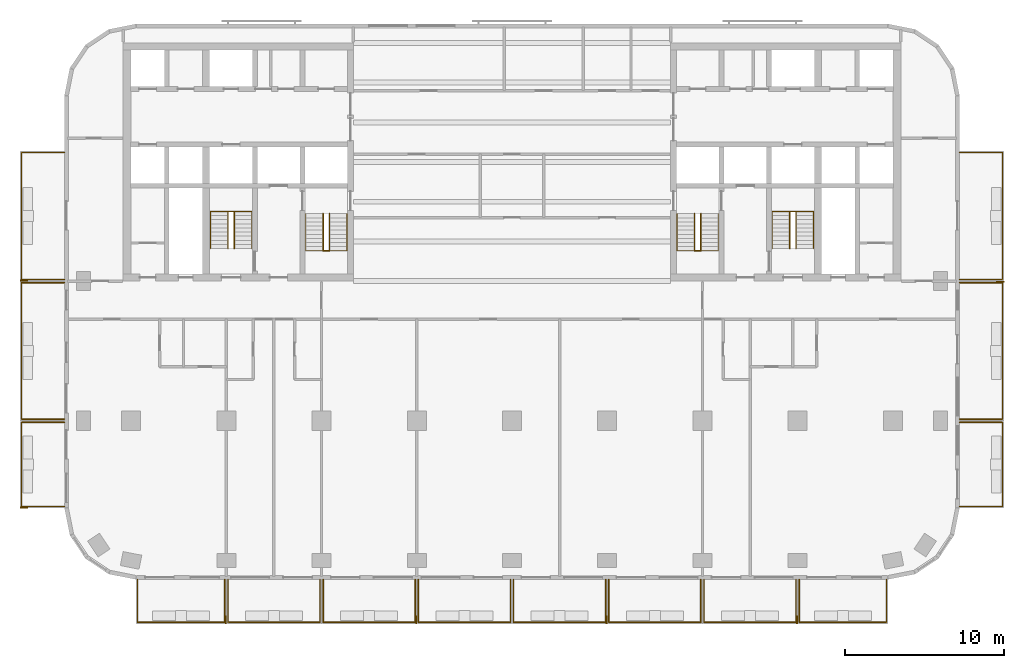
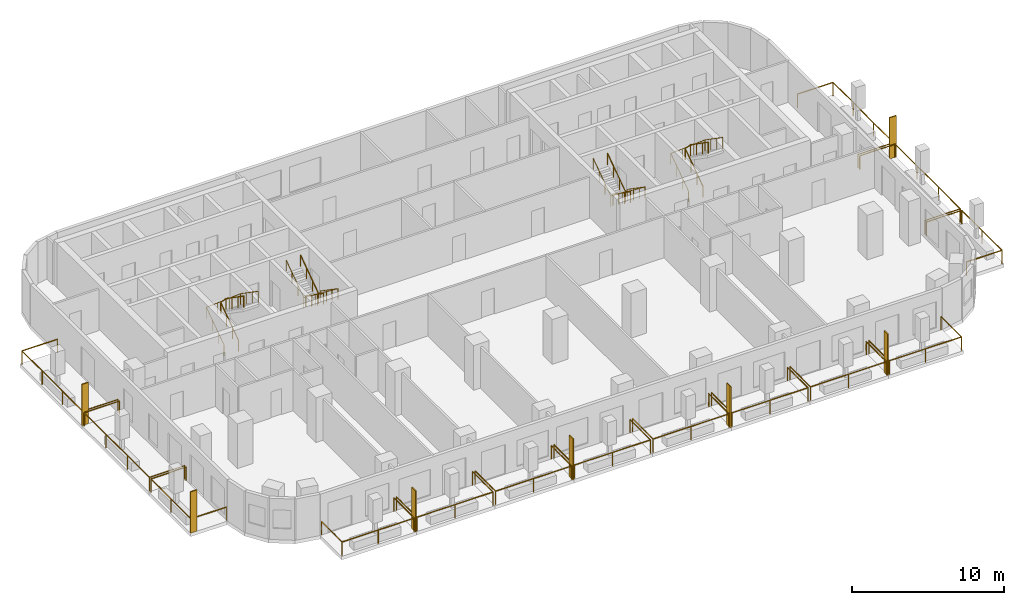
# One storey, part 9 of 11: 22 railings, 7 shading devices.
"""IFC4 building model written with IfcOpenShell, lengths in metres."""

from ifc_helpers import new_model, si_unit, direction, frame, origin, origin_2d, place, context, subcontext, project, spatial, rectangle, circle, extrude, material, layer, layer_set, type_object, element, save


model = new_model("IFC4")

# Units and contexts
model_context = context("Model", 3, precision=1e-05, world=origin(), true_north=direction((0.0, 1.0)))
body_context = subcontext(model_context, "Body", "Model", "MODEL_VIEW")
ifc_project = project(units=[si_unit("LENGTHUNIT", "METRE"), si_unit("AREAUNIT", "SQUARE_METRE"), si_unit("VOLUMEUNIT", "CUBIC_METRE"), si_unit("PLANEANGLEUNIT", "RADIAN"), si_unit("MASSUNIT", "GRAM", prefix="KILO")], contexts=[model_context])

# Site, building, storey
site_placement = place(None, origin())
site = spatial("IfcSite", under=ifc_project, at=site_placement, CompositionType="ELEMENT")
building_placement = place(site_placement, origin())
building = spatial("IfcBuilding", under=site, at=building_placement, Name="Torana Hotel and Residences", CompositionType="ELEMENT")
storey_placement = place(building_placement, frame((0.0, 0.0, 134.39990234375)))
storey = spatial("IfcBuildingStorey", under=building, at=storey_placement, Name="L34", CompositionType="ELEMENT", Elevation=134.39990234375)

# Shading devices
ifc_material_1 = material(Name="Black powder coated aluminium", Category="aluminium")
ifc_layer = layer(ifc_material_1, 0.080078125)
ifc_layer_set = layer_set([ifc_layer], Name="FN1 VERTICAL FIN 500x80")
shading_device_type = type_object("IfcShadingDeviceType", Name="FN1 VERTICAL FIN 500x80", PredefinedType="USERDEFINED", material=ifc_layer_set)
for number, where, z_axis, x_axis, name in (
    (1, (-18.0400390625, -36.35009765625, 0.0), (0.0, 0.0, 1.0), (-1.0, 0.0, 0.0), "Fin 01"),
    (2, (-6.0400390625, -36.35009765625, 0.0), (0.0, 0.0, 1.0), (-1.0, 0.0, 0.0), "Fin 03"),
    (3, (5.9599609375, -36.35009765625, 0.0), (0.0, 0.0, 1.0), (-1.0, 0.0, 0.0), "Fin 05"),
    (4, (17.9599609375, -36.35009765625, 0.0), (0.0, 0.0, 1.0), (-1.0, 0.0, 0.0), "Fin 07"),
    (5, (-30.75, -29.260009765625, 0.0), (0.0, 0.0, 1.0), (0.0, 1.0, 0.0), "Fin 09"),
    (6, (-30.75, -14.9599609375, 0.0), (0.0, 0.0, 1.0), (0.0, 1.0, 0.0), "Fin 11"),
    (7, (30.75, -15.0400390625, 0.0), (0.0, 0.0, 1.0), (0.0, -1.0, 0.0), "Fin 13"),
):
    element("IfcShadingDevice", number, at=place(storey_placement, frame(where, z_axis=z_axis, x_axis=x_axis)), inside=storey, type_object=shading_device_type, Name=name, ObjectType="FIN", PredefinedType="USERDEFINED", context=body_context, shape_type="SweptSolid", body=[
        extrude(rectangle(XDim=0.080078125, YDim=0.5, at=origin_2d()), origin(), (0.0, 0.0, 1.0), 3.320068359375),
    ])

# Railings
ifc_material_2 = material(Name="Laminated glass balustrade with black handrail", Category="glass")
railing_type_1 = type_object("IfcRailingType", Name="GR1 BALCONY GUARD 1100 GLASS", PredefinedType="GUARDRAIL", material=ifc_material_2)
railing_1_placement = place(storey_placement, frame((-18.10009765625, -33.800048828125, 0.0)))
element("IfcRailing", 8, at=railing_1_placement, inside=storey, type_object=railing_type_1, Name="Balcony guard 01", PredefinedType="GUARDRAIL", context=body_context, shape_type="SweptSolid", body=[
    extrude(circle(Radius=0.02392578125, at=origin_2d()), frame((0.0, 0.0, 1.076171875), z_axis=(0.0, -1.0, 0.0), x_axis=(1.0, 0.0, 0.0)), (0.0, 0.0, 1.0), 2.699951171875),
    extrude(circle(Radius=0.02392578125, at=origin_2d()), frame((0.0, -2.699951171875, 1.076171875), z_axis=(-1.0, 0.0, 0.0), x_axis=(0.0, -1.0, 0.0)), (0.0, 0.0, 1.0), 5.5),
    extrude(circle(Radius=0.02392578125, at=origin_2d()), frame((-5.5, -2.699951171875, 1.076171875), z_axis=(0.0, 1.0, 0.0), x_axis=(-1.0, 0.0, 0.0)), (0.0, 0.0, 1.0), 2.699951171875),
    extrude(circle(Radius=0.02099609375, at=origin_2d()), origin(), (0.0, 0.0, 1.0), 1.052001953125),
    extrude(circle(Radius=0.02099609375, at=origin_2d()), frame((0.0, -2.699951171875, 0.0)), (0.0, 0.0, 1.0), 1.052001953125),
    extrude(circle(Radius=0.02099609375, at=origin_2d()), frame((-2.75, -2.699951171875, 0.0)), (0.0, 0.0, 1.0), 1.052001953125),
    extrude(circle(Radius=0.02099609375, at=origin_2d()), frame((-5.5, -2.699951171875, 0.0)), (0.0, 0.0, 1.0), 1.052001953125),
    extrude(circle(Radius=0.02099609375, at=origin_2d()), frame((-5.5, 0.0, 0.0)), (0.0, 0.0, 1.0), 1.052001953125),
])
for number, where, name in (
    (9, (-12.10009765625, -33.800048828125, 0.0), "Balcony guard 02"),
    (10, (-6.10009765625, -33.800048828125, 0.0), "Balcony guard 03"),
    (11, (-0.10009765625, -33.800048828125, 0.0), "Balcony guard 04"),
    (12, (5.89990234375, -33.800048828125, 0.0), "Balcony guard 05"),
    (13, (11.89990234375, -33.800048828125, 0.0), "Balcony guard 06"),
    (14, (17.89990234375, -33.800048828125, 0.0), "Balcony guard 07"),
):
    element("IfcRailing", number, at=place(storey_placement, frame(where)), inside=storey, type_object=railing_type_1, Name=name, PredefinedType="GUARDRAIL", context=body_context, shape_type="SweptSolid", body=[
        extrude(circle(Radius=0.02392578125, at=origin_2d()), frame((0.0, 0.0, 1.076171875), z_axis=(0.0, -1.0, 0.0), x_axis=(1.0, 0.0, 0.0)), (0.0, 0.0, 1.0), 2.699951171875),
        extrude(circle(Radius=0.02392578125, at=origin_2d()), frame((0.0, -2.699951171875, 1.076171875), z_axis=(-1.0, 0.0, 0.0), x_axis=(0.0, -1.0, 0.0)), (0.0, 0.0, 1.0), 5.7998046875),
        extrude(circle(Radius=0.02392578125, at=origin_2d()), frame((-5.7998046875, -2.699951171875, 1.076171875), z_axis=(0.0, 1.0, 0.0), x_axis=(-1.0, 0.0, 0.0)), (0.0, 0.0, 1.0), 2.699951171875),
        extrude(circle(Radius=0.02099609375, at=origin_2d()), origin(), (0.0, 0.0, 1.0), 1.052001953125),
        extrude(circle(Radius=0.02099609375, at=origin_2d()), frame((0.0, -2.699951171875, 0.0)), (0.0, 0.0, 1.0), 1.052001953125),
        extrude(circle(Radius=0.02099609375, at=origin_2d()), frame((-2.89990234375, -2.699951171875, 0.0)), (0.0, 0.0, 1.0), 1.052001953125),
        extrude(circle(Radius=0.02099609375, at=origin_2d()), frame((-5.7998046875, -2.699951171875, 0.0)), (0.0, 0.0, 1.0), 1.052001953125),
        extrude(circle(Radius=0.02099609375, at=origin_2d()), frame((-5.7998046875, 0.0, 0.0)), (0.0, 0.0, 1.0), 1.052001953125),
    ])
railing_2_placement = place(storey_placement, frame((23.60009765625, -33.800048828125, 0.0)))
element("IfcRailing", 15, at=railing_2_placement, inside=storey, type_object=railing_type_1, Name="Balcony guard 08", PredefinedType="GUARDRAIL", context=body_context, shape_type="SweptSolid", body=[
    extrude(circle(Radius=0.02392578125, at=origin_2d()), frame((0.0, 0.0, 1.076171875), z_axis=(0.0, -1.0, 0.0), x_axis=(1.0, 0.0, 0.0)), (0.0, 0.0, 1.0), 2.699951171875),
    extrude(circle(Radius=0.02392578125, at=origin_2d()), frame((0.0, -2.699951171875, 1.076171875), z_axis=(-1.0, 0.0, 0.0), x_axis=(0.0, -1.0, 0.0)), (0.0, 0.0, 1.0), 5.5),
    extrude(circle(Radius=0.02392578125, at=origin_2d()), frame((-5.5, -2.699951171875, 1.076171875), z_axis=(0.0, 1.0, 0.0), x_axis=(-1.0, 0.0, 0.0)), (0.0, 0.0, 1.0), 2.699951171875),
    extrude(circle(Radius=0.02099609375, at=origin_2d()), origin(), (0.0, 0.0, 1.0), 1.052001953125),
    extrude(circle(Radius=0.02099609375, at=origin_2d()), frame((0.0, -2.699951171875, 0.0)), (0.0, 0.0, 1.0), 1.052001953125),
    extrude(circle(Radius=0.02099609375, at=origin_2d()), frame((-2.75, -2.699951171875, 0.0)), (0.0, 0.0, 1.0), 1.052001953125),
    extrude(circle(Radius=0.02099609375, at=origin_2d()), frame((-5.5, -2.699951171875, 0.0)), (0.0, 0.0, 1.0), 1.052001953125),
    extrude(circle(Radius=0.02099609375, at=origin_2d()), frame((-5.5, 0.0, 0.0)), (0.0, 0.0, 1.0), 1.052001953125),
])
railing_3_placement = place(storey_placement, frame((-28.199951171875, -29.199951171875, 0.0)))
element("IfcRailing", 16, at=railing_3_placement, inside=storey, type_object=railing_type_1, Name="Balcony guard 09", PredefinedType="GUARDRAIL", context=body_context, shape_type="SweptSolid", body=[
    extrude(circle(Radius=0.02392578125, at=origin_2d()), frame((0.0, 0.0, 1.076171875), z_axis=(-1.0, 0.0, 0.0), x_axis=(0.0, -1.0, 0.0)), (0.0, 0.0, 1.0), 2.699951171875),
    extrude(circle(Radius=0.02392578125, at=origin_2d()), frame((-2.699951171875, 0.0, 1.076171875), z_axis=(0.0, 1.0, 0.0), x_axis=(-1.0, 0.0, 0.0)), (0.0, 0.0, 1.0), 5.300048828125),
    extrude(circle(Radius=0.02392578125, at=origin_2d()), frame((-2.699951171875, 5.300048828125, 1.076171875), z_axis=(1.0, 0.0, 0.0), x_axis=(0.0, 1.0, 0.0)), (0.0, 0.0, 1.0), 2.699951171875),
    extrude(circle(Radius=0.02099609375, at=origin_2d()), origin(), (0.0, 0.0, 1.0), 1.052001953125),
    extrude(circle(Radius=0.02099609375, at=origin_2d()), frame((-2.699951171875, 0.0, 0.0)), (0.0, 0.0, 1.0), 1.052001953125),
    extrude(circle(Radius=0.02099609375, at=origin_2d()), frame((-2.699951171875, 2.64990234375, 0.0)), (0.0, 0.0, 1.0), 1.052001953125),
    extrude(circle(Radius=0.02099609375, at=origin_2d()), frame((-2.699951171875, 5.300048828125, 0.0)), (0.0, 0.0, 1.0), 1.052001953125),
    extrude(circle(Radius=0.02099609375, at=origin_2d()), frame((0.0, 5.300048828125, 0.0)), (0.0, 0.0, 1.0), 1.052001953125),
])
railing_4_placement = place(storey_placement, frame((-28.199951171875, -23.699951171875, 0.0)))
element("IfcRailing", 17, at=railing_4_placement, inside=storey, type_object=railing_type_1, Name="Balcony guard 10", PredefinedType="GUARDRAIL", context=body_context, shape_type="SweptSolid", body=[
    extrude(circle(Radius=0.02392578125, at=origin_2d()), frame((0.0, 0.0, 1.076171875), z_axis=(-1.0, 0.0, 0.0), x_axis=(0.0, -1.0, 0.0)), (0.0, 0.0, 1.0), 2.699951171875),
    extrude(circle(Radius=0.02392578125, at=origin_2d()), frame((-2.699951171875, 0.0, 1.076171875), z_axis=(0.0, 1.0, 0.0), x_axis=(-1.0, 0.0, 0.0)), (0.0, 0.0, 1.0), 8.599853515625),
    extrude(circle(Radius=0.02392578125, at=origin_2d()), frame((-2.699951171875, 8.599853515625, 1.076171875), z_axis=(1.0, 0.0, 0.0), x_axis=(0.0, 1.0, 0.0)), (0.0, 0.0, 1.0), 2.699951171875),
    extrude(circle(Radius=0.02099609375, at=origin_2d()), origin(), (0.0, 0.0, 1.0), 1.052001953125),
    extrude(circle(Radius=0.02099609375, at=origin_2d()), frame((-2.699951171875, 0.0, 0.0)), (0.0, 0.0, 1.0), 1.052001953125),
    extrude(circle(Radius=0.02099609375, at=origin_2d()), frame((-2.699951171875, 2.86669921875, 0.0)), (0.0, 0.0, 1.0), 1.052001953125),
    extrude(circle(Radius=0.02099609375, at=origin_2d()), frame((-2.699951171875, 5.733154296875, 0.0)), (0.0, 0.0, 1.0), 1.052001953125),
    extrude(circle(Radius=0.02099609375, at=origin_2d()), frame((-2.699951171875, 8.599853515625, 0.0)), (0.0, 0.0, 1.0), 1.052001953125),
    extrude(circle(Radius=0.02099609375, at=origin_2d()), frame((0.0, 8.599853515625, 0.0)), (0.0, 0.0, 1.0), 1.052001953125),
])
railing_5_placement = place(storey_placement, frame((-28.199951171875, -14.89990234375, 0.0)))
element("IfcRailing", 18, at=railing_5_placement, inside=storey, type_object=railing_type_1, Name="Balcony guard 11", PredefinedType="GUARDRAIL", context=body_context, shape_type="SweptSolid", body=[
    extrude(circle(Radius=0.02392578125, at=origin_2d()), frame((0.0, 0.0, 1.076171875), z_axis=(-1.0, 0.0, 0.0), x_axis=(0.0, -1.0, 0.0)), (0.0, 0.0, 1.0), 2.699951171875),
    extrude(circle(Radius=0.02392578125, at=origin_2d()), frame((-2.699951171875, 0.0, 1.076171875), z_axis=(0.0, 1.0, 0.0), x_axis=(-1.0, 0.0, 0.0)), (0.0, 0.0, 1.0), 8.0),
    extrude(circle(Radius=0.02392578125, at=origin_2d()), frame((-2.699951171875, 8.0, 1.076171875), z_axis=(1.0, 0.0, 0.0), x_axis=(0.0, 1.0, 0.0)), (0.0, 0.0, 1.0), 2.699951171875),
    extrude(circle(Radius=0.02099609375, at=origin_2d()), origin(), (0.0, 0.0, 1.0), 1.052001953125),
    extrude(circle(Radius=0.02099609375, at=origin_2d()), frame((-2.699951171875, 0.0, 0.0)), (0.0, 0.0, 1.0), 1.052001953125),
    extrude(circle(Radius=0.02099609375, at=origin_2d()), frame((-2.699951171875, 2.666748046875, 0.0)), (0.0, 0.0, 1.0), 1.052001953125),
    extrude(circle(Radius=0.02099609375, at=origin_2d()), frame((-2.699951171875, 5.333251953125, 0.0)), (0.0, 0.0, 1.0), 1.052001953125),
    extrude(circle(Radius=0.02099609375, at=origin_2d()), frame((-2.699951171875, 8.0, 0.0)), (0.0, 0.0, 1.0), 1.052001953125),
    extrude(circle(Radius=0.02099609375, at=origin_2d()), frame((0.0, 8.0, 0.0)), (0.0, 0.0, 1.0), 1.052001953125),
])
railing_6_placement = place(storey_placement, frame((28.199951171875, -23.89990234375, 0.0)))
element("IfcRailing", 19, at=railing_6_placement, inside=storey, type_object=railing_type_1, Name="Balcony guard 12", PredefinedType="GUARDRAIL", context=body_context, shape_type="SweptSolid", body=[
    extrude(circle(Radius=0.02392578125, at=origin_2d()), frame((0.0, 0.0, 1.076171875), z_axis=(1.0, 0.0, 0.0), x_axis=(0.0, 1.0, 0.0)), (0.0, 0.0, 1.0), 2.699951171875),
    extrude(circle(Radius=0.02392578125, at=origin_2d()), frame((2.699951171875, 0.0, 1.076171875), z_axis=(0.0, -1.0, 0.0), x_axis=(1.0, 0.0, 0.0)), (0.0, 0.0, 1.0), 5.300048828125),
    extrude(circle(Radius=0.02392578125, at=origin_2d()), frame((2.699951171875, -5.300048828125, 1.076171875), z_axis=(-1.0, 0.0, 0.0), x_axis=(0.0, -1.0, 0.0)), (0.0, 0.0, 1.0), 2.699951171875),
    extrude(circle(Radius=0.02099609375, at=origin_2d()), origin(), (0.0, 0.0, 1.0), 1.052001953125),
    extrude(circle(Radius=0.02099609375, at=origin_2d()), frame((2.699951171875, 0.0, 0.0)), (0.0, 0.0, 1.0), 1.052001953125),
    extrude(circle(Radius=0.02099609375, at=origin_2d()), frame((2.699951171875, -2.64990234375, 0.0)), (0.0, 0.0, 1.0), 1.052001953125),
    extrude(circle(Radius=0.02099609375, at=origin_2d()), frame((2.699951171875, -5.300048828125, 0.0)), (0.0, 0.0, 1.0), 1.052001953125),
    extrude(circle(Radius=0.02099609375, at=origin_2d()), frame((0.0, -5.300048828125, 0.0)), (0.0, 0.0, 1.0), 1.052001953125),
])
railing_7_placement = place(storey_placement, frame((28.199951171875, -15.10009765625, 0.0)))
element("IfcRailing", 20, at=railing_7_placement, inside=storey, type_object=railing_type_1, Name="Balcony guard 13", PredefinedType="GUARDRAIL", context=body_context, shape_type="SweptSolid", body=[
    extrude(circle(Radius=0.02392578125, at=origin_2d()), frame((0.0, 0.0, 1.076171875), z_axis=(1.0, 0.0, 0.0), x_axis=(0.0, 1.0, 0.0)), (0.0, 0.0, 1.0), 2.699951171875),
    extrude(circle(Radius=0.02392578125, at=origin_2d()), frame((2.699951171875, 0.0, 1.076171875), z_axis=(0.0, -1.0, 0.0), x_axis=(1.0, 0.0, 0.0)), (0.0, 0.0, 1.0), 8.599853515625),
    extrude(circle(Radius=0.02392578125, at=origin_2d()), frame((2.699951171875, -8.599853515625, 1.076171875), z_axis=(-1.0, 0.0, 0.0), x_axis=(0.0, -1.0, 0.0)), (0.0, 0.0, 1.0), 2.699951171875),
    extrude(circle(Radius=0.02099609375, at=origin_2d()), origin(), (0.0, 0.0, 1.0), 1.052001953125),
    extrude(circle(Radius=0.02099609375, at=origin_2d()), frame((2.699951171875, 0.0, 0.0)), (0.0, 0.0, 1.0), 1.052001953125),
    extrude(circle(Radius=0.02099609375, at=origin_2d()), frame((2.699951171875, -2.86669921875, 0.0)), (0.0, 0.0, 1.0), 1.052001953125),
    extrude(circle(Radius=0.02099609375, at=origin_2d()), frame((2.699951171875, -5.733154296875, 0.0)), (0.0, 0.0, 1.0), 1.052001953125),
    extrude(circle(Radius=0.02099609375, at=origin_2d()), frame((2.699951171875, -8.599853515625, 0.0)), (0.0, 0.0, 1.0), 1.052001953125),
    extrude(circle(Radius=0.02099609375, at=origin_2d()), frame((0.0, -8.599853515625, 0.0)), (0.0, 0.0, 1.0), 1.052001953125),
])
railing_8_placement = place(storey_placement, frame((28.199951171875, -6.89990234375, 0.0)))
element("IfcRailing", 21, at=railing_8_placement, inside=storey, type_object=railing_type_1, Name="Balcony guard 14", PredefinedType="GUARDRAIL", context=body_context, shape_type="SweptSolid", body=[
    extrude(circle(Radius=0.02392578125, at=origin_2d()), frame((0.0, 0.0, 1.076171875), z_axis=(1.0, 0.0, 0.0), x_axis=(0.0, 1.0, 0.0)), (0.0, 0.0, 1.0), 2.699951171875),
    extrude(circle(Radius=0.02392578125, at=origin_2d()), frame((2.699951171875, 0.0, 1.076171875), z_axis=(0.0, -1.0, 0.0), x_axis=(1.0, 0.0, 0.0)), (0.0, 0.0, 1.0), 8.0),
    extrude(circle(Radius=0.02392578125, at=origin_2d()), frame((2.699951171875, -8.0, 1.076171875), z_axis=(-1.0, 0.0, 0.0), x_axis=(0.0, -1.0, 0.0)), (0.0, 0.0, 1.0), 2.699951171875),
    extrude(circle(Radius=0.02099609375, at=origin_2d()), origin(), (0.0, 0.0, 1.0), 1.052001953125),
    extrude(circle(Radius=0.02099609375, at=origin_2d()), frame((2.699951171875, 0.0, 0.0)), (0.0, 0.0, 1.0), 1.052001953125),
    extrude(circle(Radius=0.02099609375, at=origin_2d()), frame((2.699951171875, -2.666748046875, 0.0)), (0.0, 0.0, 1.0), 1.052001953125),
    extrude(circle(Radius=0.02099609375, at=origin_2d()), frame((2.699951171875, -5.333251953125, 0.0)), (0.0, 0.0, 1.0), 1.052001953125),
    extrude(circle(Radius=0.02099609375, at=origin_2d()), frame((2.699951171875, -8.0, 0.0)), (0.0, 0.0, 1.0), 1.052001953125),
    extrude(circle(Radius=0.02099609375, at=origin_2d()), frame((0.0, -8.0, 0.0)), (0.0, 0.0, 1.0), 1.052001953125),
])
ifc_material_3 = material(Name="Stainless steel 316", Category="steel")
railing_type_2 = type_object("IfcRailingType", Name="STAIR HANDRAIL HR1 900", PredefinedType="HANDRAIL", material=ifc_material_3)
railing_9_placement = place(storey_placement, frame((-10.39990234375, -10.75, 0.18017578125)))
element("IfcRailing", 22, at=railing_9_placement, inside=storey, type_object=railing_type_2, Name="Handrail ST1 L34 O1", PredefinedType="HANDRAIL", context=body_context, shape_type="SweptSolid", body=[
    extrude(circle(Radius=0.02392578125, at=origin_2d()), frame((0.0, 0.0, 0.8759765625), z_axis=(0.0, -0.822223072051, 0.569165371211), x_axis=(1.0, 0.0, 0.0)), (0.0, 0.0, 1.0), 2.845947265625),
    extrude(circle(Radius=0.02392578125, at=origin_2d()), frame((0.0, -2.340087890625, 2.49560546875), z_axis=(-0.997614115953, 0.0, 0.069036770278), x_axis=(0.0, -1.0, 0.0)), (0.0, 0.0, 1.0), 2.606201171875),
    extrude(circle(Radius=0.02392578125, at=origin_2d()), frame((-2.60009765625, -2.340087890625, 2.67578125), z_axis=(0.0, 0.822182927502, 0.569223360136), x_axis=(-1.0, 0.0, 0.0)), (0.0, 0.0, 1.0), 2.84619140625),
    extrude(circle(Radius=0.02099609375, at=origin_2d()), origin(), (0.0, 0.0, 1.0), 0.851806640625),
    extrude(circle(Radius=0.02099609375, at=origin_2d()), frame((0.0, -0.780029296875, 0.5400390625)), (0.0, 0.0, 1.0), 0.851806640625),
    extrude(circle(Radius=0.02099609375, at=origin_2d()), frame((0.0, -1.56005859375, 1.079833984375)), (0.0, 0.0, 1.0), 0.851806640625),
    extrude(circle(Radius=0.02099609375, at=origin_2d()), frame((0.0, -2.340087890625, 1.619873046875)), (0.0, 0.0, 1.0), 0.851806640625),
    extrude(circle(Radius=0.02099609375, at=origin_2d()), frame((-0.86669921875, -2.340087890625, 1.679931640625)), (0.0, 0.0, 1.0), 0.851806640625),
    extrude(circle(Radius=0.02099609375, at=origin_2d()), frame((-1.7333984375, -2.340087890625, 1.73974609375)), (0.0, 0.0, 1.0), 0.851806640625),
    extrude(circle(Radius=0.02099609375, at=origin_2d()), frame((-2.60009765625, -2.340087890625, 1.7998046875)), (0.0, 0.0, 1.0), 0.851806640625),
    extrude(circle(Radius=0.02099609375, at=origin_2d()), frame((-2.60009765625, -1.56005859375, 2.33984375)), (0.0, 0.0, 1.0), 0.851806640625),
    extrude(circle(Radius=0.02099609375, at=origin_2d()), frame((-2.60009765625, -0.780029296875, 2.8798828125)), (0.0, 0.0, 1.0), 0.851806640625),
    extrude(circle(Radius=0.02099609375, at=origin_2d()), frame((-2.60009765625, 0.0, 3.419921875)), (0.0, 0.0, 1.0), 0.851806640625),
])
railing_10_placement = place(storey_placement, frame((-11.5, -10.75, 0.18017578125)))
element("IfcRailing", 23, at=railing_10_placement, inside=storey, type_object=railing_type_2, Name="Handrail ST1 L34 I1", PredefinedType="HANDRAIL", context=body_context, shape_type="SweptSolid", body=[
    extrude(circle(Radius=0.02392578125, at=origin_2d()), frame((0.0, 0.0, 0.8759765625), z_axis=(0.0, -0.822223072051, 0.569165371211), x_axis=(1.0, 0.0, 0.0)), (0.0, 0.0, 1.0), 2.845947265625),
    extrude(circle(Radius=0.02392578125, at=origin_2d()), frame((0.0, -2.340087890625, 2.49560546875), z_axis=(-0.911942338396, 0.0, 0.410318378143), x_axis=(0.0, -1.0, 0.0)), (0.0, 0.0, 1.0), 0.4384765625),
    extrude(circle(Radius=0.02392578125, at=origin_2d()), frame((-0.39990234375, -2.340087890625, 2.67578125), z_axis=(0.0, 0.822182927502, 0.569223360136), x_axis=(-1.0, 0.0, 0.0)), (0.0, 0.0, 1.0), 2.84619140625),
    extrude(circle(Radius=0.02099609375, at=origin_2d()), origin(), (0.0, 0.0, 1.0), 0.851806640625),
    extrude(circle(Radius=0.02099609375, at=origin_2d()), frame((0.0, -0.780029296875, 0.5400390625)), (0.0, 0.0, 1.0), 0.851806640625),
    extrude(circle(Radius=0.02099609375, at=origin_2d()), frame((0.0, -1.56005859375, 1.079833984375)), (0.0, 0.0, 1.0), 0.851806640625),
    extrude(circle(Radius=0.02099609375, at=origin_2d()), frame((0.0, -2.340087890625, 1.619873046875)), (0.0, 0.0, 1.0), 0.851806640625),
    extrude(circle(Radius=0.02099609375, at=origin_2d()), frame((-0.39990234375, -2.340087890625, 1.7998046875)), (0.0, 0.0, 1.0), 0.851806640625),
    extrude(circle(Radius=0.02099609375, at=origin_2d()), frame((-0.39990234375, -1.56005859375, 2.33984375)), (0.0, 0.0, 1.0), 0.851806640625),
    extrude(circle(Radius=0.02099609375, at=origin_2d()), frame((-0.39990234375, -0.780029296875, 2.8798828125)), (0.0, 0.0, 1.0), 0.851806640625),
    extrude(circle(Radius=0.02099609375, at=origin_2d()), frame((-0.39990234375, 0.0, 3.419921875)), (0.0, 0.0, 1.0), 0.851806640625),
])
railing_11_placement = place(storey_placement, frame((-19.0, -12.949951171875, 0.18017578125)))
element("IfcRailing", 24, at=railing_11_placement, inside=storey, type_object=railing_type_2, Name="Handrail ST2 L34 O1", PredefinedType="HANDRAIL", context=body_context, shape_type="SweptSolid", body=[
    extrude(circle(Radius=0.02392578125, at=origin_2d()), frame((0.0, 0.0, 0.8759765625), z_axis=(0.0, 0.822195280011, 0.569205517829), x_axis=(-1.0, 0.0, 0.0)), (0.0, 0.0, 1.0), 2.845947265625),
    extrude(circle(Radius=0.02392578125, at=origin_2d()), frame((0.0, 2.33984375, 2.49560546875), z_axis=(0.997614115953, 0.0, 0.069036770278), x_axis=(0.0, 1.0, 0.0)), (0.0, 0.0, 1.0), 2.606201171875),
    extrude(circle(Radius=0.02392578125, at=origin_2d()), frame((2.60009765625, 2.33984375, 2.67578125), z_axis=(0.0, -0.822155131156, 0.569263506923), x_axis=(1.0, 0.0, 0.0)), (0.0, 0.0, 1.0), 2.845947265625),
    extrude(circle(Radius=0.02099609375, at=origin_2d()), origin(), (0.0, 0.0, 1.0), 0.851806640625),
    extrude(circle(Radius=0.02099609375, at=origin_2d()), frame((0.0, 0.780029296875, 0.5400390625)), (0.0, 0.0, 1.0), 0.851806640625),
    extrude(circle(Radius=0.02099609375, at=origin_2d()), frame((0.0, 1.559814453125, 1.079833984375)), (0.0, 0.0, 1.0), 0.851806640625),
    extrude(circle(Radius=0.02099609375, at=origin_2d()), frame((0.0, 2.33984375, 1.619873046875)), (0.0, 0.0, 1.0), 0.851806640625),
    extrude(circle(Radius=0.02099609375, at=origin_2d()), frame((0.86669921875, 2.33984375, 1.679931640625)), (0.0, 0.0, 1.0), 0.851806640625),
    extrude(circle(Radius=0.02099609375, at=origin_2d()), frame((1.7333984375, 2.33984375, 1.73974609375)), (0.0, 0.0, 1.0), 0.851806640625),
    extrude(circle(Radius=0.02099609375, at=origin_2d()), frame((2.60009765625, 2.33984375, 1.7998046875)), (0.0, 0.0, 1.0), 0.851806640625),
    extrude(circle(Radius=0.02099609375, at=origin_2d()), frame((2.60009765625, 1.559814453125, 2.33984375)), (0.0, 0.0, 1.0), 0.851806640625),
    extrude(circle(Radius=0.02099609375, at=origin_2d()), frame((2.60009765625, 0.780029296875, 2.8798828125)), (0.0, 0.0, 1.0), 0.851806640625),
    extrude(circle(Radius=0.02099609375, at=origin_2d()), frame((2.60009765625, 0.0, 3.419921875)), (0.0, 0.0, 1.0), 0.851806640625),
])
railing_12_placement = place(storey_placement, frame((-17.89990234375, -12.949951171875, 0.18017578125)))
element("IfcRailing", 25, at=railing_12_placement, inside=storey, type_object=railing_type_2, Name="Handrail ST2 L34 I1", PredefinedType="HANDRAIL", context=body_context, shape_type="SweptSolid", body=[
    extrude(circle(Radius=0.02392578125, at=origin_2d()), frame((0.0, 0.0, 0.8759765625), z_axis=(0.0, 0.822195280011, 0.569205517829), x_axis=(-1.0, 0.0, 0.0)), (0.0, 0.0, 1.0), 2.845947265625),
    extrude(circle(Radius=0.02392578125, at=origin_2d()), frame((0.0, 2.33984375, 2.49560546875), z_axis=(0.911942338396, 0.0, 0.410318378143), x_axis=(0.0, 1.0, 0.0)), (0.0, 0.0, 1.0), 0.4384765625),
    extrude(circle(Radius=0.02392578125, at=origin_2d()), frame((0.39990234375, 2.33984375, 2.67578125), z_axis=(0.0, -0.822155131156, 0.569263506923), x_axis=(1.0, 0.0, 0.0)), (0.0, 0.0, 1.0), 2.845947265625),
    extrude(circle(Radius=0.02099609375, at=origin_2d()), origin(), (0.0, 0.0, 1.0), 0.851806640625),
    extrude(circle(Radius=0.02099609375, at=origin_2d()), frame((0.0, 0.780029296875, 0.5400390625)), (0.0, 0.0, 1.0), 0.851806640625),
    extrude(circle(Radius=0.02099609375, at=origin_2d()), frame((0.0, 1.559814453125, 1.079833984375)), (0.0, 0.0, 1.0), 0.851806640625),
    extrude(circle(Radius=0.02099609375, at=origin_2d()), frame((0.0, 2.33984375, 1.619873046875)), (0.0, 0.0, 1.0), 0.851806640625),
    extrude(circle(Radius=0.02099609375, at=origin_2d()), frame((0.39990234375, 2.33984375, 1.7998046875)), (0.0, 0.0, 1.0), 0.851806640625),
    extrude(circle(Radius=0.02099609375, at=origin_2d()), frame((0.39990234375, 1.559814453125, 2.33984375)), (0.0, 0.0, 1.0), 0.851806640625),
    extrude(circle(Radius=0.02099609375, at=origin_2d()), frame((0.39990234375, 0.780029296875, 2.8798828125)), (0.0, 0.0, 1.0), 0.851806640625),
    extrude(circle(Radius=0.02099609375, at=origin_2d()), frame((0.39990234375, 0.0, 3.419921875)), (0.0, 0.0, 1.0), 0.851806640625),
])
railing_13_placement = place(storey_placement, frame((13.0, -10.75, 0.18017578125)))
element("IfcRailing", 26, at=railing_13_placement, inside=storey, type_object=railing_type_2, Name="Handrail ST3 L34 O1", PredefinedType="HANDRAIL", context=body_context, shape_type="SweptSolid", body=[
    extrude(circle(Radius=0.02392578125, at=origin_2d()), frame((0.0, 0.0, 0.8759765625), z_axis=(0.0, -0.822223072051, 0.569165371211), x_axis=(1.0, 0.0, 0.0)), (0.0, 0.0, 1.0), 2.845947265625),
    extrude(circle(Radius=0.02392578125, at=origin_2d()), frame((0.0, -2.340087890625, 2.49560546875), z_axis=(-0.997614115953, 0.0, 0.069036770278), x_axis=(0.0, -1.0, 0.0)), (0.0, 0.0, 1.0), 2.606201171875),
    extrude(circle(Radius=0.02392578125, at=origin_2d()), frame((-2.60009765625, -2.340087890625, 2.67578125), z_axis=(0.0, 0.822182927502, 0.569223360136), x_axis=(-1.0, 0.0, 0.0)), (0.0, 0.0, 1.0), 2.84619140625),
    extrude(circle(Radius=0.02099609375, at=origin_2d()), origin(), (0.0, 0.0, 1.0), 0.851806640625),
    extrude(circle(Radius=0.02099609375, at=origin_2d()), frame((0.0, -0.780029296875, 0.5400390625)), (0.0, 0.0, 1.0), 0.851806640625),
    extrude(circle(Radius=0.02099609375, at=origin_2d()), frame((0.0, -1.56005859375, 1.079833984375)), (0.0, 0.0, 1.0), 0.851806640625),
    extrude(circle(Radius=0.02099609375, at=origin_2d()), frame((0.0, -2.340087890625, 1.619873046875)), (0.0, 0.0, 1.0), 0.851806640625),
    extrude(circle(Radius=0.02099609375, at=origin_2d()), frame((-0.86669921875, -2.340087890625, 1.679931640625)), (0.0, 0.0, 1.0), 0.851806640625),
    extrude(circle(Radius=0.02099609375, at=origin_2d()), frame((-1.7333984375, -2.340087890625, 1.73974609375)), (0.0, 0.0, 1.0), 0.851806640625),
    extrude(circle(Radius=0.02099609375, at=origin_2d()), frame((-2.60009765625, -2.340087890625, 1.7998046875)), (0.0, 0.0, 1.0), 0.851806640625),
    extrude(circle(Radius=0.02099609375, at=origin_2d()), frame((-2.60009765625, -1.56005859375, 2.33984375)), (0.0, 0.0, 1.0), 0.851806640625),
    extrude(circle(Radius=0.02099609375, at=origin_2d()), frame((-2.60009765625, -0.780029296875, 2.8798828125)), (0.0, 0.0, 1.0), 0.851806640625),
    extrude(circle(Radius=0.02099609375, at=origin_2d()), frame((-2.60009765625, 0.0, 3.419921875)), (0.0, 0.0, 1.0), 0.851806640625),
])
railing_14_placement = place(storey_placement, frame((11.89990234375, -10.75, 0.18017578125)))
element("IfcRailing", 27, at=railing_14_placement, inside=storey, type_object=railing_type_2, Name="Handrail ST3 L34 I1", PredefinedType="HANDRAIL", context=body_context, shape_type="SweptSolid", body=[
    extrude(circle(Radius=0.02392578125, at=origin_2d()), frame((0.0, 0.0, 0.8759765625), z_axis=(0.0, -0.822223072051, 0.569165371211), x_axis=(1.0, 0.0, 0.0)), (0.0, 0.0, 1.0), 2.845947265625),
    extrude(circle(Radius=0.02392578125, at=origin_2d()), frame((0.0, -2.340087890625, 2.49560546875), z_axis=(-0.911942338396, 0.0, 0.410318378143), x_axis=(0.0, -1.0, 0.0)), (0.0, 0.0, 1.0), 0.4384765625),
    extrude(circle(Radius=0.02392578125, at=origin_2d()), frame((-0.39990234375, -2.340087890625, 2.67578125), z_axis=(0.0, 0.822182927502, 0.569223360136), x_axis=(-1.0, 0.0, 0.0)), (0.0, 0.0, 1.0), 2.84619140625),
    extrude(circle(Radius=0.02099609375, at=origin_2d()), origin(), (0.0, 0.0, 1.0), 0.851806640625),
    extrude(circle(Radius=0.02099609375, at=origin_2d()), frame((0.0, -0.780029296875, 0.5400390625)), (0.0, 0.0, 1.0), 0.851806640625),
    extrude(circle(Radius=0.02099609375, at=origin_2d()), frame((0.0, -1.56005859375, 1.079833984375)), (0.0, 0.0, 1.0), 0.851806640625),
    extrude(circle(Radius=0.02099609375, at=origin_2d()), frame((0.0, -2.340087890625, 1.619873046875)), (0.0, 0.0, 1.0), 0.851806640625),
    extrude(circle(Radius=0.02099609375, at=origin_2d()), frame((-0.39990234375, -2.340087890625, 1.7998046875)), (0.0, 0.0, 1.0), 0.851806640625),
    extrude(circle(Radius=0.02099609375, at=origin_2d()), frame((-0.39990234375, -1.56005859375, 2.33984375)), (0.0, 0.0, 1.0), 0.851806640625),
    extrude(circle(Radius=0.02099609375, at=origin_2d()), frame((-0.39990234375, -0.780029296875, 2.8798828125)), (0.0, 0.0, 1.0), 0.851806640625),
    extrude(circle(Radius=0.02099609375, at=origin_2d()), frame((-0.39990234375, 0.0, 3.419921875)), (0.0, 0.0, 1.0), 0.851806640625),
])
railing_15_placement = place(storey_placement, frame((16.39990234375, -12.949951171875, 0.18017578125)))
element("IfcRailing", 28, at=railing_15_placement, inside=storey, type_object=railing_type_2, Name="Handrail ST4 L34 O1", PredefinedType="HANDRAIL", context=body_context, shape_type="SweptSolid", body=[
    extrude(circle(Radius=0.02392578125, at=origin_2d()), frame((0.0, 0.0, 0.8759765625), z_axis=(0.0, 0.822195280011, 0.569205517829), x_axis=(-1.0, 0.0, 0.0)), (0.0, 0.0, 1.0), 2.845947265625),
    extrude(circle(Radius=0.02392578125, at=origin_2d()), frame((0.0, 2.33984375, 2.49560546875), z_axis=(0.997614115953, 0.0, 0.069036770278), x_axis=(0.0, 1.0, 0.0)), (0.0, 0.0, 1.0), 2.606201171875),
    extrude(circle(Radius=0.02392578125, at=origin_2d()), frame((2.60009765625, 2.33984375, 2.67578125), z_axis=(0.0, -0.822155131156, 0.569263506923), x_axis=(1.0, 0.0, 0.0)), (0.0, 0.0, 1.0), 2.845947265625),
    extrude(circle(Radius=0.02099609375, at=origin_2d()), origin(), (0.0, 0.0, 1.0), 0.851806640625),
    extrude(circle(Radius=0.02099609375, at=origin_2d()), frame((0.0, 0.780029296875, 0.5400390625)), (0.0, 0.0, 1.0), 0.851806640625),
    extrude(circle(Radius=0.02099609375, at=origin_2d()), frame((0.0, 1.559814453125, 1.079833984375)), (0.0, 0.0, 1.0), 0.851806640625),
    extrude(circle(Radius=0.02099609375, at=origin_2d()), frame((0.0, 2.33984375, 1.619873046875)), (0.0, 0.0, 1.0), 0.851806640625),
    extrude(circle(Radius=0.02099609375, at=origin_2d()), frame((0.86669921875, 2.33984375, 1.679931640625)), (0.0, 0.0, 1.0), 0.851806640625),
    extrude(circle(Radius=0.02099609375, at=origin_2d()), frame((1.7333984375, 2.33984375, 1.73974609375)), (0.0, 0.0, 1.0), 0.851806640625),
    extrude(circle(Radius=0.02099609375, at=origin_2d()), frame((2.60009765625, 2.33984375, 1.7998046875)), (0.0, 0.0, 1.0), 0.851806640625),
    extrude(circle(Radius=0.02099609375, at=origin_2d()), frame((2.60009765625, 1.559814453125, 2.33984375)), (0.0, 0.0, 1.0), 0.851806640625),
    extrude(circle(Radius=0.02099609375, at=origin_2d()), frame((2.60009765625, 0.780029296875, 2.8798828125)), (0.0, 0.0, 1.0), 0.851806640625),
    extrude(circle(Radius=0.02099609375, at=origin_2d()), frame((2.60009765625, 0.0, 3.419921875)), (0.0, 0.0, 1.0), 0.851806640625),
])
railing_16_placement = place(storey_placement, frame((17.5, -12.949951171875, 0.18017578125)))
element("IfcRailing", 29, at=railing_16_placement, inside=storey, type_object=railing_type_2, Name="Handrail ST4 L34 I1", PredefinedType="HANDRAIL", context=body_context, shape_type="SweptSolid", body=[
    extrude(circle(Radius=0.02392578125, at=origin_2d()), frame((0.0, 0.0, 0.8759765625), z_axis=(0.0, 0.822195280011, 0.569205517829), x_axis=(-1.0, 0.0, 0.0)), (0.0, 0.0, 1.0), 2.845947265625),
    extrude(circle(Radius=0.02392578125, at=origin_2d()), frame((0.0, 2.33984375, 2.49560546875), z_axis=(0.911942338396, 0.0, 0.410318378143), x_axis=(0.0, 1.0, 0.0)), (0.0, 0.0, 1.0), 0.4384765625),
    extrude(circle(Radius=0.02392578125, at=origin_2d()), frame((0.39990234375, 2.33984375, 2.67578125), z_axis=(0.0, -0.822155131156, 0.569263506923), x_axis=(1.0, 0.0, 0.0)), (0.0, 0.0, 1.0), 2.845947265625),
    extrude(circle(Radius=0.02099609375, at=origin_2d()), origin(), (0.0, 0.0, 1.0), 0.851806640625),
    extrude(circle(Radius=0.02099609375, at=origin_2d()), frame((0.0, 0.780029296875, 0.5400390625)), (0.0, 0.0, 1.0), 0.851806640625),
    extrude(circle(Radius=0.02099609375, at=origin_2d()), frame((0.0, 1.559814453125, 1.079833984375)), (0.0, 0.0, 1.0), 0.851806640625),
    extrude(circle(Radius=0.02099609375, at=origin_2d()), frame((0.0, 2.33984375, 1.619873046875)), (0.0, 0.0, 1.0), 0.851806640625),
    extrude(circle(Radius=0.02099609375, at=origin_2d()), frame((0.39990234375, 2.33984375, 1.7998046875)), (0.0, 0.0, 1.0), 0.851806640625),
    extrude(circle(Radius=0.02099609375, at=origin_2d()), frame((0.39990234375, 1.559814453125, 2.33984375)), (0.0, 0.0, 1.0), 0.851806640625),
    extrude(circle(Radius=0.02099609375, at=origin_2d()), frame((0.39990234375, 0.780029296875, 2.8798828125)), (0.0, 0.0, 1.0), 0.851806640625),
    extrude(circle(Radius=0.02099609375, at=origin_2d()), frame((0.39990234375, 0.0, 3.419921875)), (0.0, 0.0, 1.0), 0.851806640625),
])

save(model, "model.ifc")
